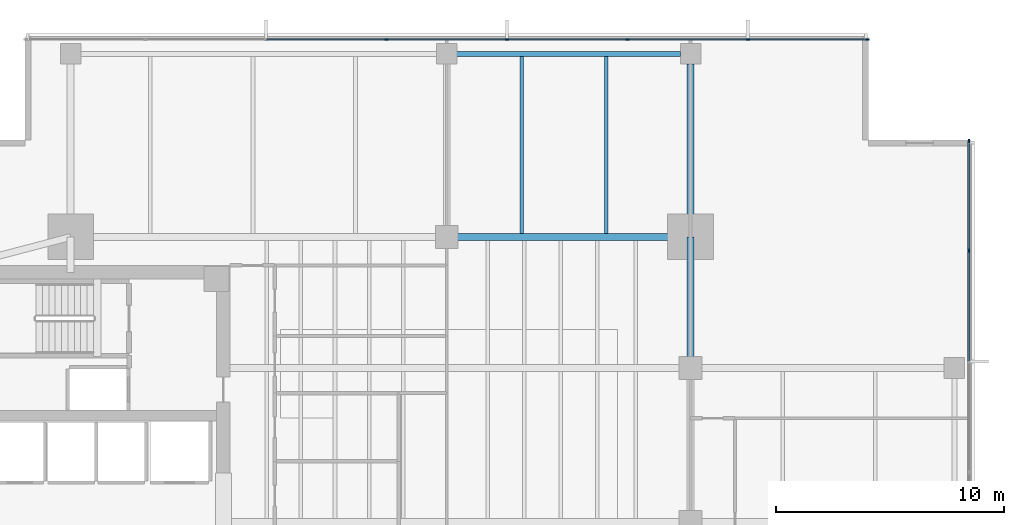
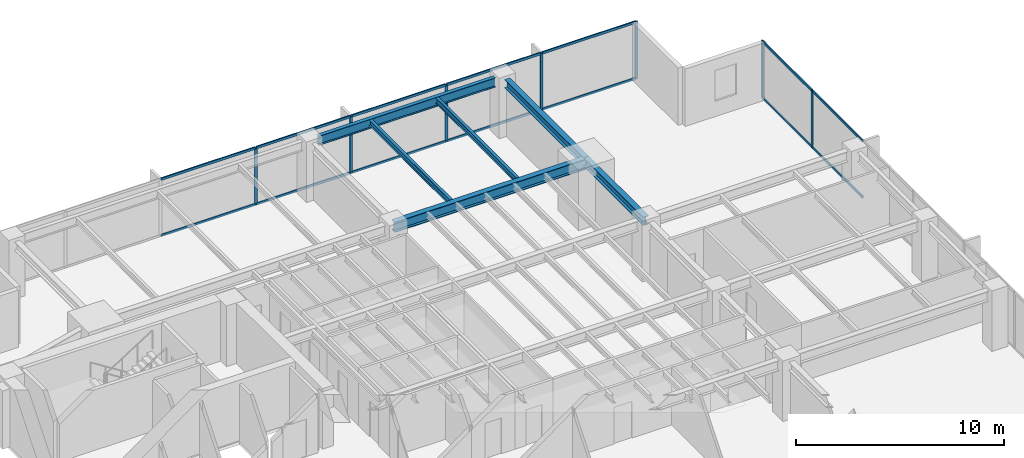
# One storey, part 6 of 15: 21 members, 6 beams, 2 elements without a shape of their own.
"""IFC4 building model written with IfcOpenShell, lengths in metres."""

from ifc_helpers import new_model, si_unit, direction, frame, origin, origin_2d, place, context, subcontext, project, spatial, rectangle, i_section, extrude, material, layer, layer_set, material_profile, profile_set, type_object, element, aggregate, save


model = new_model("IFC4")

# Units and contexts
model_context = context("Model", 3, precision=1e-05, world=origin(), true_north=direction((0.0, 1.0)))
body_context = subcontext(model_context, "Body", "Model", "MODEL_VIEW")
ifc_project = project(units=[si_unit("LENGTHUNIT", "METRE"), si_unit("AREAUNIT", "SQUARE_METRE"), si_unit("VOLUMEUNIT", "CUBIC_METRE"), si_unit("PLANEANGLEUNIT", "RADIAN"), si_unit("MASSUNIT", "GRAM", prefix="KILO")], contexts=[model_context])

# Site, building, storey
site_placement = place(None, origin())
site = spatial("IfcSite", under=ifc_project, at=site_placement, CompositionType="ELEMENT")
building_placement = place(site_placement, origin())
building = spatial("IfcBuilding", under=site, at=building_placement, Name="Kinhvarn Gate Tower", CompositionType="ELEMENT")
storey_placement = place(building_placement, frame((0.0, 0.0, 109.35009765625)))
storey = spatial("IfcBuildingStorey", under=building, at=storey_placement, Name="L28", CompositionType="ELEMENT", Elevation=109.35009765625)

# Curtain wall, members
ifc_material_1 = material(Name="Anodised aluminium AW-6063", Category="aluminium")
ifc_layer = layer(ifc_material_1, 0.179931640625)
ifc_layer_set = layer_set([ifc_layer], Name="Anodised aluminium AW-6063")
curtain_wall_type = type_object("IfcCurtainWallType", Name="CW-SYS-3", PredefinedType="NOTDEFINED", material=ifc_layer_set)
curtain_wall_1_placement = place(storey_placement, origin())
curtain_wall_1 = element("IfcCurtainWall", 1, at=curtain_wall_1_placement, inside=storey, type_object=curtain_wall_type, Name="Curtain Wall CW3 (L28)", PredefinedType="NOTDEFINED")
ifc_material_profile_1 = material_profile(ifc_material_1, rectangle(XDim=0.06494140625, YDim=0.159912109375, at=origin_2d()), Name="ALU 65x160")
ifc_profile_set_1 = profile_set([ifc_material_profile_1], Name="Anodised aluminium AW-6063")
member_type_1 = type_object("IfcMemberType", Name="CW-MUL-160", PredefinedType="MULLION", material=ifc_profile_set_1)
member_1_placement = place(storey_placement, frame((45.967529296875, 46.409912109375, 0.0), z_axis=(0.0, 0.0, 1.0), x_axis=(0.0, -1.0, 0.0)))
member_1 = element("IfcMember", 2, at=member_1_placement, type_object=member_type_1, Name="CW3 mullion 1", PredefinedType="MULLION", context=body_context, shape_type="SweptSolid", body=[
    extrude(rectangle(XDim=0.06494140625, YDim=0.159912109375, at=origin_2d()), origin(), (0.0, 0.0, 1.0), 3.369873046875),
])
member_2_placement = place(storey_placement, frame((40.71435546875, 46.409912109375, 0.0), z_axis=(0.0, 0.0, 1.0), x_axis=(0.0, -1.0, 0.0)))
member_2 = element("IfcMember", 3, at=member_2_placement, type_object=member_type_1, Name="CW3 mullion 2", PredefinedType="MULLION", context=body_context, shape_type="SweptSolid", body=[
    extrude(rectangle(XDim=0.06494140625, YDim=0.159912109375, at=origin_2d()), origin(), (0.0, 0.0, 1.0), 3.369873046875),
])
member_3_placement = place(storey_placement, frame((35.428466796875, 46.409912109375, 0.0), z_axis=(0.0, 0.0, 1.0), x_axis=(0.0, -1.0, 0.0)))
member_3 = element("IfcMember", 4, at=member_3_placement, type_object=member_type_1, Name="CW3 mullion 3", PredefinedType="MULLION", context=body_context, shape_type="SweptSolid", body=[
    extrude(rectangle(XDim=0.06494140625, YDim=0.159912109375, at=origin_2d()), origin(), (0.0, 0.0, 1.0), 3.369873046875),
])
member_4_placement = place(storey_placement, frame((30.142822265625, 46.409912109375, 0.0), z_axis=(0.0, 0.0, 1.0), x_axis=(0.0, -1.0, 0.0)))
member_4 = element("IfcMember", 5, at=member_4_placement, type_object=member_type_1, Name="CW3 mullion 4", PredefinedType="MULLION", context=body_context, shape_type="SweptSolid", body=[
    extrude(rectangle(XDim=0.06494140625, YDim=0.159912109375, at=origin_2d()), origin(), (0.0, 0.0, 1.0), 3.369873046875),
])
member_5_placement = place(storey_placement, frame((24.857177734375, 46.409912109375, 0.0), z_axis=(0.0, 0.0, 1.0), x_axis=(0.0, -1.0, 0.0)))
member_5 = element("IfcMember", 6, at=member_5_placement, type_object=member_type_1, Name="CW3 mullion 5", PredefinedType="MULLION", context=body_context, shape_type="SweptSolid", body=[
    extrude(rectangle(XDim=0.06494140625, YDim=0.159912109375, at=origin_2d()), origin(), (0.0, 0.0, 1.0), 3.369873046875),
])

curtain_wall_2_placement = place(storey_placement, origin())
curtain_wall_2 = element("IfcCurtainWall", 7, at=curtain_wall_2_placement, inside=storey, type_object=curtain_wall_type, Name="Curtain Wall CW3 (L28)", PredefinedType="NOTDEFINED")
member_6_placement = place(storey_placement, frame((50.409912109375, 37.142822265625, 0.0), z_axis=(0.0, 0.0, 1.0), x_axis=(-1.0, 0.0, 0.0)))
member_6 = element("IfcMember", 8, at=member_6_placement, type_object=member_type_1, Name="CW3 mullion 7", PredefinedType="MULLION", context=body_context, shape_type="SweptSolid", body=[
    extrude(rectangle(XDim=0.06494140625, YDim=0.159912109375, at=origin_2d()), origin(), (0.0, 0.0, 1.0), 3.369873046875),
])
member_7_placement = place(storey_placement, frame((50.409912109375, 41.967529296875, 0.0), z_axis=(0.0, 0.0, 1.0), x_axis=(-1.0, 0.0, 0.0)))
member_7 = element("IfcMember", 9, at=member_7_placement, type_object=member_type_1, Name="CW3 mullion 8", PredefinedType="MULLION", context=body_context, shape_type="SweptSolid", body=[
    extrude(rectangle(XDim=0.06494140625, YDim=0.159912109375, at=origin_2d()), origin(), (0.0, 0.0, 1.0), 3.369873046875),
])

# Member
ifc_material_profile_2 = material_profile(ifc_material_1, rectangle(XDim=0.070068359375, YDim=0.139892578125, at=origin_2d()), Name="ALU 70x140")
ifc_profile_set_2 = profile_set([ifc_material_profile_2], Name="Anodised aluminium AW-6063")
member_type_2 = type_object("IfcMemberType", Name="CW-TRN-140", PredefinedType="USERDEFINED", material=ifc_profile_set_2)
member_8_placement = place(storey_placement, frame((45.93505859375, 46.409912109375, 0.034912109375), z_axis=(-1.0, 0.0, 0.0), x_axis=(0.0, -1.0, 0.0)))
member_8 = element("IfcMember", 10, at=member_8_placement, type_object=member_type_2, Name="CW3 transom 1.1", ObjectType="TRANSOM", PredefinedType="USERDEFINED", context=body_context, shape_type="SweptSolid", body=[
    extrude(rectangle(XDim=0.070068359375, YDim=0.139892578125, at=origin_2d()), origin(), (0.0, 0.0, 1.0), 5.188232421875),
])

member_9_placement = place(storey_placement, frame((45.93505859375, 46.409912109375, 3.3349609375), z_axis=(-1.0, 0.0, 0.0), x_axis=(0.0, -1.0, 0.0)))
member_9 = element("IfcMember", 11, at=member_9_placement, type_object=member_type_2, Name="CW3 transom 1.2", ObjectType="TRANSOM", PredefinedType="USERDEFINED", context=body_context, shape_type="SweptSolid", body=[
    extrude(rectangle(XDim=0.070068359375, YDim=0.139892578125, at=origin_2d()), origin(), (0.0, 0.0, 1.0), 5.188232421875),
])

member_10_placement = place(storey_placement, frame((40.681884765625, 46.409912109375, 0.034912109375), z_axis=(-1.0, 0.0, 0.0), x_axis=(0.0, -1.0, 0.0)))
member_10 = element("IfcMember", 12, at=member_10_placement, type_object=member_type_2, Name="CW3 transom 2.1", ObjectType="TRANSOM", PredefinedType="USERDEFINED", context=body_context, shape_type="SweptSolid", body=[
    extrude(rectangle(XDim=0.070068359375, YDim=0.139892578125, at=origin_2d()), origin(), (0.0, 0.0, 1.0), 5.220703125),
])

member_11_placement = place(storey_placement, frame((40.681884765625, 46.409912109375, 3.3349609375), z_axis=(-1.0, 0.0, 0.0), x_axis=(0.0, -1.0, 0.0)))
member_11 = element("IfcMember", 13, at=member_11_placement, type_object=member_type_2, Name="CW3 transom 2.2", ObjectType="TRANSOM", PredefinedType="USERDEFINED", context=body_context, shape_type="SweptSolid", body=[
    extrude(rectangle(XDim=0.070068359375, YDim=0.139892578125, at=origin_2d()), origin(), (0.0, 0.0, 1.0), 5.220703125),
])

member_12_placement = place(storey_placement, frame((35.39599609375, 46.409912109375, 0.034912109375), z_axis=(-1.0, 0.0, 0.0), x_axis=(0.0, -1.0, 0.0)))
member_12 = element("IfcMember", 14, at=member_12_placement, type_object=member_type_2, Name="CW3 transom 3.1", ObjectType="TRANSOM", PredefinedType="USERDEFINED", context=body_context, shape_type="SweptSolid", body=[
    extrude(rectangle(XDim=0.070068359375, YDim=0.139892578125, at=origin_2d()), origin(), (0.0, 0.0, 1.0), 5.220703125),
])

member_13_placement = place(storey_placement, frame((35.39599609375, 46.409912109375, 3.3349609375), z_axis=(-1.0, 0.0, 0.0), x_axis=(0.0, -1.0, 0.0)))
member_13 = element("IfcMember", 15, at=member_13_placement, type_object=member_type_2, Name="CW3 transom 3.2", ObjectType="TRANSOM", PredefinedType="USERDEFINED", context=body_context, shape_type="SweptSolid", body=[
    extrude(rectangle(XDim=0.070068359375, YDim=0.139892578125, at=origin_2d()), origin(), (0.0, 0.0, 1.0), 5.220703125),
])

member_14_placement = place(storey_placement, frame((30.1103515625, 46.409912109375, 0.034912109375), z_axis=(-1.0, 0.0, 0.0), x_axis=(0.0, -1.0, 0.0)))
member_14 = element("IfcMember", 16, at=member_14_placement, type_object=member_type_2, Name="CW3 transom 4.1", ObjectType="TRANSOM", PredefinedType="USERDEFINED", context=body_context, shape_type="SweptSolid", body=[
    extrude(rectangle(XDim=0.070068359375, YDim=0.139892578125, at=origin_2d()), origin(), (0.0, 0.0, 1.0), 5.220703125),
])

member_15_placement = place(storey_placement, frame((30.1103515625, 46.409912109375, 3.3349609375), z_axis=(-1.0, 0.0, 0.0), x_axis=(0.0, -1.0, 0.0)))
member_15 = element("IfcMember", 17, at=member_15_placement, type_object=member_type_2, Name="CW3 transom 4.2", ObjectType="TRANSOM", PredefinedType="USERDEFINED", context=body_context, shape_type="SweptSolid", body=[
    extrude(rectangle(XDim=0.070068359375, YDim=0.139892578125, at=origin_2d()), origin(), (0.0, 0.0, 1.0), 5.220703125),
])

member_16_placement = place(storey_placement, frame((24.82470703125, 46.409912109375, 0.034912109375), z_axis=(-1.0, 0.0, 0.0), x_axis=(0.0, -1.0, 0.0)))
member_16 = element("IfcMember", 18, at=member_16_placement, type_object=member_type_2, Name="CW3 transom 5.1", ObjectType="TRANSOM", PredefinedType="USERDEFINED", context=body_context, shape_type="SweptSolid", body=[
    extrude(rectangle(XDim=0.070068359375, YDim=0.139892578125, at=origin_2d()), origin(), (0.0, 0.0, 1.0), 5.220703125),
])

member_17_placement = place(storey_placement, frame((24.82470703125, 46.409912109375, 3.3349609375), z_axis=(-1.0, 0.0, 0.0), x_axis=(0.0, -1.0, 0.0)))
member_17 = element("IfcMember", 19, at=member_17_placement, type_object=member_type_2, Name="CW3 transom 5.2", ObjectType="TRANSOM", PredefinedType="USERDEFINED", context=body_context, shape_type="SweptSolid", body=[
    extrude(rectangle(XDim=0.070068359375, YDim=0.139892578125, at=origin_2d()), origin(), (0.0, 0.0, 1.0), 5.220703125),
])

aggregate(curtain_wall_1, [member_1, member_2, member_3, member_4, member_5, member_8, member_9, member_10, member_11, member_12, member_13, member_14, member_15, member_16, member_17])

member_18_placement = place(storey_placement, frame((50.409912109375, 32.318115234375, 0.034912109375), z_axis=(0.0, 1.0, 0.0), x_axis=(-1.0, 0.0, 0.0)))
member_18 = element("IfcMember", 20, at=member_18_placement, type_object=member_type_2, Name="CW3 transom 6.1", ObjectType="TRANSOM", PredefinedType="USERDEFINED", context=body_context, shape_type="SweptSolid", body=[
    extrude(rectangle(XDim=0.070068359375, YDim=0.139892578125, at=origin_2d()), origin(), (0.0, 0.0, 1.0), 4.792236328125),
])

member_19_placement = place(storey_placement, frame((50.409912109375, 32.318115234375, 3.3349609375), z_axis=(0.0, 1.0, 0.0), x_axis=(-1.0, 0.0, 0.0)))
member_19 = element("IfcMember", 21, at=member_19_placement, type_object=member_type_2, Name="CW3 transom 6.2", ObjectType="TRANSOM", PredefinedType="USERDEFINED", context=body_context, shape_type="SweptSolid", body=[
    extrude(rectangle(XDim=0.070068359375, YDim=0.139892578125, at=origin_2d()), origin(), (0.0, 0.0, 1.0), 4.792236328125),
])

member_20_placement = place(storey_placement, frame((50.409912109375, 37.17529296875, 0.034912109375), z_axis=(0.0, 1.0, 0.0), x_axis=(-1.0, 0.0, 0.0)))
member_20 = element("IfcMember", 22, at=member_20_placement, type_object=member_type_2, Name="CW3 transom 7.1", ObjectType="TRANSOM", PredefinedType="USERDEFINED", context=body_context, shape_type="SweptSolid", body=[
    extrude(rectangle(XDim=0.070068359375, YDim=0.139892578125, at=origin_2d()), origin(), (0.0, 0.0, 1.0), 4.759765625),
])

member_21_placement = place(storey_placement, frame((50.409912109375, 37.17529296875, 3.3349609375), z_axis=(0.0, 1.0, 0.0), x_axis=(-1.0, 0.0, 0.0)))
member_21 = element("IfcMember", 23, at=member_21_placement, type_object=member_type_2, Name="CW3 transom 7.2", ObjectType="TRANSOM", PredefinedType="USERDEFINED", context=body_context, shape_type="SweptSolid", body=[
    extrude(rectangle(XDim=0.070068359375, YDim=0.139892578125, at=origin_2d()), origin(), (0.0, 0.0, 1.0), 4.759765625),
])

aggregate(curtain_wall_2, [member_6, member_7, member_18, member_19, member_20, member_21])

# Beams
ifc_material_2 = material(Name="Steel S355", Category="steel")
ifc_material_profile_3 = material_profile(ifc_material_2, i_section(OverallWidth=0.300048828125, OverallDepth=0.5, WebThickness=0.014404296875, FlangeThickness=0.028076171875, at=origin_2d()), Name="HEB 500")
ifc_profile_set_3 = profile_set([ifc_material_profile_3], Name="Steel S355")
beam_type_1 = type_object("IfcBeamType", Name="STL-HEB500", PredefinedType="BEAM", material=ifc_profile_set_3)
beam_1_placement = place(storey_placement, frame((38.199951171875, 37.75, 3.119873046875), z_axis=(0.0, 1.0, 0.0), x_axis=(-1.0, 0.0, 0.0)))
element("IfcBeam", 24, at=beam_1_placement, inside=storey, type_object=beam_type_1, Name="Floor Beam PG-14 (L28 MCE-N)", PredefinedType="BEAM", context=body_context, shape_type="SweptSolid", body=[
    extrude(i_section(OverallWidth=0.300048828125, OverallDepth=0.5, WebThickness=0.014404296875, FlangeThickness=0.028076171875, at=origin_2d()), origin(), (0.0, 0.0, 1.0), 7.594970703125),
])
beam_2_placement = place(storey_placement, frame((38.199951171875, 32.0, 3.119873046875), z_axis=(0.0, 1.0, 0.0), x_axis=(-1.0, 0.0, 0.0)))
element("IfcBeam", 25, at=beam_2_placement, inside=storey, type_object=beam_type_1, Name="Floor Beam PG-14 (L28 MG-E-32)", PredefinedType="BEAM", context=body_context, shape_type="SweptSolid", body=[
    extrude(i_section(OverallWidth=0.300048828125, OverallDepth=0.5, WebThickness=0.014404296875, FlangeThickness=0.028076171875, at=origin_2d()), origin(), (0.0, 0.0, 1.0), 5.75),
])
ifc_material_profile_4 = material_profile(ifc_material_2, i_section(OverallWidth=0.300048828125, OverallDepth=0.60009765625, WebThickness=0.015380859375, FlangeThickness=0.030029296875, at=origin_2d()), Name="HEB 600")
ifc_profile_set_4 = profile_set([ifc_material_profile_4], Name="Steel S355")
beam_type_2 = type_object("IfcBeamType", Name="STL-HEB600", PredefinedType="BEAM", material=ifc_profile_set_4)
beam_3_placement = place(storey_placement, frame((27.5, 37.75, 3.06982421875), z_axis=(1.0, 0.0, 0.0), x_axis=(0.0, 1.0, 0.0)))
element("IfcBeam", 26, at=beam_3_placement, inside=storey, type_object=beam_type_2, Name="Floor Beam PG-16 (L28 MG-N2)", PredefinedType="BEAM", context=body_context, shape_type="SweptSolid", body=[
    extrude(i_section(OverallWidth=0.300048828125, OverallDepth=0.60009765625, WebThickness=0.015380859375, FlangeThickness=0.030029296875, at=origin_2d()), origin(), (0.0, 0.0, 1.0), 10.699951171875),
])
ifc_material_profile_5 = material_profile(ifc_material_2, i_section(OverallWidth=0.159912109375, OverallDepth=0.330078125, WebThickness=0.007568359375, FlangeThickness=0.011474609375, at=origin_2d()), Name="IPE 330")
ifc_profile_set_5 = profile_set([ifc_material_profile_5], Name="Steel S355")
beam_type_3 = type_object("IfcBeamType", Name="STL-IPE330", PredefinedType="JOIST", material=ifc_profile_set_5)
for number, where, z_axis, x_axis, name in (
    (27, (30.800048828125, 37.89990234375, 3.204833984375), (0.0, 1.0, 0.0), (-1.0, 0.0, 0.0), "Floor Joist SB-03 (L28 JN-X308)"),
    (28, (34.5, 37.89990234375, 3.204833984375), (0.0, 1.0, 0.0), (-1.0, 0.0, 0.0), "Floor Joist SB-03 (L28 JN-X345)"),
):
    element("IfcBeam", number, at=place(storey_placement, frame(where, z_axis=z_axis, x_axis=x_axis)), inside=storey, type_object=beam_type_3, Name=name, PredefinedType="JOIST", context=body_context, shape_type="SweptSolid", body=[
        extrude(i_section(OverallWidth=0.159912109375, OverallDepth=0.330078125, WebThickness=0.007568359375, FlangeThickness=0.011474609375, at=origin_2d()), origin(), (0.0, 0.0, 1.0), 7.775146484375),
    ])
ifc_material_profile_6 = material_profile(ifc_material_2, i_section(OverallWidth=0.2099609375, OverallDepth=0.550048828125, WebThickness=0.010986328125, FlangeThickness=0.01708984375, at=origin_2d()), Name="IPE 550")
ifc_profile_set_6 = profile_set([ifc_material_profile_6], Name="Steel S355")
beam_type_4 = type_object("IfcBeamType", Name="STL-IPE550", PredefinedType="SPANDREL", material=ifc_profile_set_6)
beam_4_placement = place(storey_placement, frame((27.93505859375, 45.780029296875, 3.094970703125), z_axis=(1.0, 0.0, 0.0), x_axis=(0.0, 1.0, 0.0)))
element("IfcBeam", 29, at=beam_4_placement, inside=storey, type_object=beam_type_4, Name="Floor Spandrel SB-08 (L28 SP-N2)", PredefinedType="SPANDREL", context=body_context, shape_type="SweptSolid", body=[
    extrude(i_section(OverallWidth=0.2099609375, OverallDepth=0.550048828125, WebThickness=0.010986328125, FlangeThickness=0.01708984375, at=origin_2d()), origin(), (0.0, 0.0, 1.0), 9.829833984375),
])

save(model, "model.ifc")
